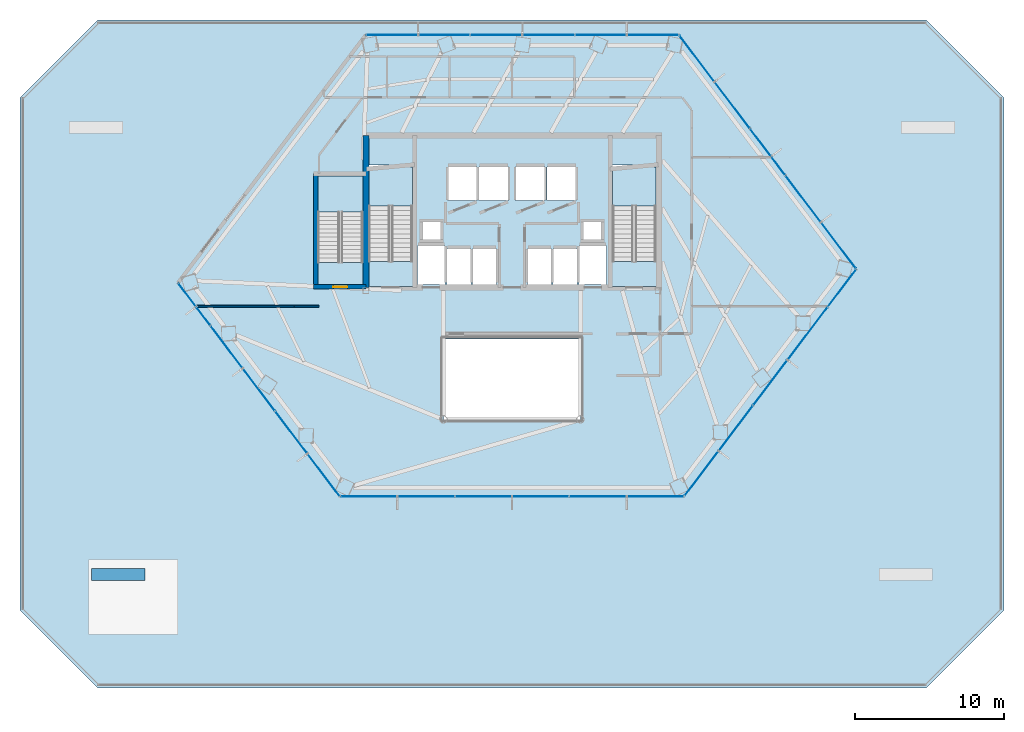
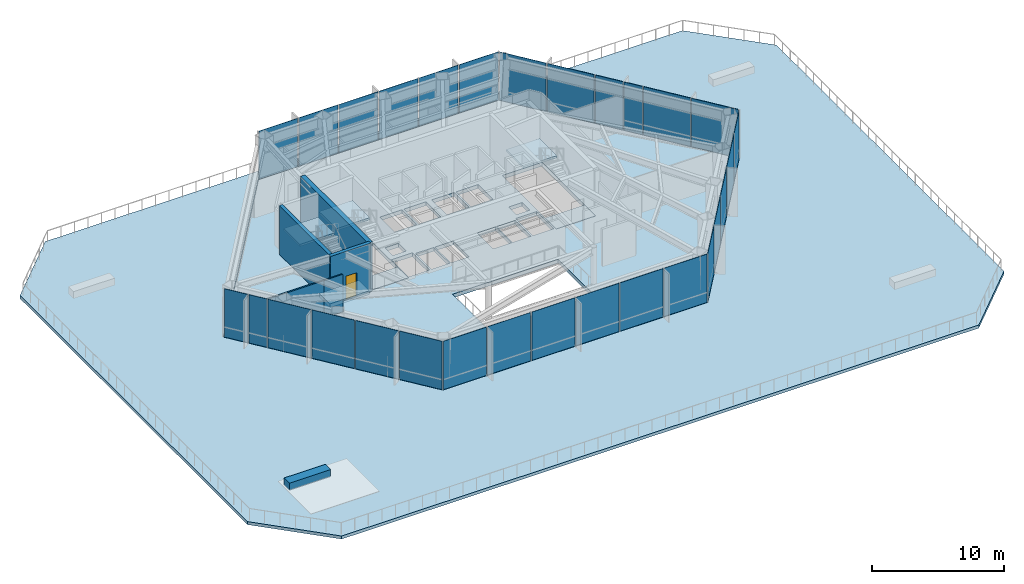
# One storey, part 20 of 30: 29 plates, 8 slabs, 6 walls, 1 door, 1 opening, 8 elements without a shape of their own.
"""IFC4 building model written with IfcOpenShell, lengths in metres."""

import ifcopenshell
import ifcopenshell.guid

model = None  # the IFC model being written
_history = None  # IfcOwnerHistory: only IFC2X3 demands one
_inside = {}  # id of a spatial element -> (the spatial element, [elements in it])
_under = {}  # id of a project, library or spatial element -> (it, [spatial elements below it])
_declared = {}  # id of a project -> (the project, [libraries it declares])
_typed = {}  # id of a type object -> (the type object, [elements of that type])
_made_of = {}  # id of a material, layer set ... -> (it, [elements and type objects made of it])


def new_model(schema):
    """Start an empty IFC model of exactly this schema.

    Asked for "IFC4X3", IfcOpenShell would pick the latest addendum, in which some entities
    have other attributes; the version numbers below select the first issue.
    IFC2X3 requires an IfcOwnerHistory on every rooted entity: one is made here for all.
    """
    global model, _history
    if schema == "IFC4X3":
        model = ifcopenshell.file(schema_version=(4, 3, 0, 0))
    else:
        model = ifcopenshell.file(schema=schema)
    _inside.clear()
    _under.clear()
    _declared.clear()
    _typed.clear()
    _made_of.clear()
    _history = None
    if model.schema == "IFC2X3":
        org = make("IfcOrganization", Name="unknown")
        user = make(
            "IfcPersonAndOrganization",
            ThePerson=make("IfcPerson", FamilyName="unknown"),
            TheOrganization=org,
        )
        app = make(
            "IfcApplication",
            ApplicationDeveloper=org,
            Version="unknown",
            ApplicationFullName="unknown",
            ApplicationIdentifier="unknown",
        )
        _history = make(
            "IfcOwnerHistory",
            OwningUser=user,
            OwningApplication=app,
            ChangeAction="ADDED",
            CreationDate=0,
        )
    return model


def make(cls, **values):
    """One entity of the class cls with the attributes given. An attribute that is None is left unset."""
    return model.create_entity(
        cls, **{name: value for name, value in values.items() if value is not None}
    )


def rooted(cls, **values):
    """An entity with a GlobalId (a new one), such as an element, a storey or a relation."""
    return make(cls, GlobalId=ifcopenshell.guid.new(), OwnerHistory=_history, **values)


def si_unit(unit_type, name, prefix=None):
    """IfcSIUnit, for example si_unit("LENGTHUNIT", "METRE", prefix="MILLI")."""
    return make("IfcSIUnit", UnitType=unit_type, Prefix=prefix, Name=name)


def assignment(units):
    """IfcUnitAssignment: the units of a project."""
    return None if units is None else make("IfcUnitAssignment", Units=units)


def point(xyz):
    """IfcCartesianPoint."""
    return None if xyz is None else make("IfcCartesianPoint", Coordinates=xyz)


def direction(xyz):
    """IfcDirection."""
    return None if xyz is None else make("IfcDirection", DirectionRatios=xyz)


def frame(location, z_axis=None, x_axis=None):
    """IfcAxis2Placement3D, a coordinate frame: its origin and axes. An axis left out is left unset."""
    return make(
        "IfcAxis2Placement3D",
        Location=point(location),
        Axis=direction(z_axis),
        RefDirection=direction(x_axis),
    )


def frame_2d(location, x_axis=None):
    """IfcAxis2Placement2D, a coordinate frame in the plane: its origin and x axis."""
    return make(
        "IfcAxis2Placement2D", Location=point(location), RefDirection=direction(x_axis)
    )


def origin():
    """The frame at (0, 0, 0) with its axes left unset."""
    return frame((0.0, 0.0, 0.0))


def origin_2d():
    """The frame at (0, 0) in the plane with its x axis left unset."""
    return frame_2d((0.0, 0.0))


def place(relative_to, where):
    """IfcLocalPlacement: puts the frame where relative to a parent placement (None: the world)."""
    return make(
        "IfcLocalPlacement", PlacementRelTo=relative_to, RelativePlacement=where
    )


def context(
    kind, dimensions, precision=None, world=None, true_north=None, identifier=None
):
    """IfcGeometricRepresentationContext, for example the 3D "Model" context."""
    return make(
        "IfcGeometricRepresentationContext",
        ContextIdentifier=identifier,
        ContextType=kind,
        CoordinateSpaceDimension=dimensions,
        Precision=precision,
        WorldCoordinateSystem=world,
        TrueNorth=true_north,
    )


def subcontext(parent, identifier, kind, view, scale=None):
    """IfcGeometricRepresentationSubContext, for example "Body" below "Model"."""
    return make(
        "IfcGeometricRepresentationSubContext",
        ContextIdentifier=identifier,
        ContextType=kind,
        ParentContext=parent,
        TargetScale=scale,
        TargetView=view,
    )


def project(units=None, contexts=None):
    """IfcProject with its units and contexts."""
    return rooted(
        "IfcProject",
        Name="project",
        RepresentationContexts=contexts,
        UnitsInContext=assignment(units),
    )


def spatial(cls, under=None, at=None, **own):
    """A site, building, storey or space (cls), placed at a placement, below another one or the project."""
    s = rooted(cls, ObjectPlacement=at, **own)
    if under is not None:
        _under.setdefault(under.id(), (under, []))[1].append(s)
    return s


def polyline(points):
    """IfcPolyline through the points."""
    return make("IfcPolyline", Points=[point(p) for p in points])


def profile(cls, at=None, kind="AREA", **sizes):
    """A parametric profile (cls). Its sizes go by their IFC names, for example OverallWidth=200.0."""
    return make(cls, ProfileType=kind, Position=at, **sizes)


def rectangle(**sizes):
    """IfcRectangleProfileDef."""
    return profile("IfcRectangleProfileDef", **sizes)


def outline(outer, holes=None, kind="AREA"):
    """IfcArbitraryClosedProfileDef: a profile drawn as a closed curve; with holes, ...WithVoids."""
    if holes is None:
        return make("IfcArbitraryClosedProfileDef", ProfileType=kind, OuterCurve=outer)
    return make(
        "IfcArbitraryProfileDefWithVoids",
        ProfileType=kind,
        OuterCurve=outer,
        InnerCurves=holes,
    )


def extrude(swept, where, along, depth):
    """IfcExtrudedAreaSolid: the profile swept, set in the frame where, extruded along a direction by depth."""
    return make(
        "IfcExtrudedAreaSolid",
        SweptArea=swept,
        Position=where,
        ExtrudedDirection=direction(along),
        Depth=depth,
    )


def shape(context_of_items, identifier, shape_type, items):
    """IfcShapeRepresentation: the items that make up one representation, for example the "Body"."""
    return make(
        "IfcShapeRepresentation",
        ContextOfItems=context_of_items,
        RepresentationIdentifier=identifier,
        RepresentationType=shape_type,
        Items=items,
    )


def material(Name=None, Category=None):
    """IfcMaterial."""
    return make("IfcMaterial", Name=Name, Category=Category)


def layer(
    of_material, thickness, ventilated=None, Name=None, Category=None, Priority=None
):
    """IfcMaterialLayer: one layer of a wall or slab, of a material (None: an air gap)."""
    return make(
        "IfcMaterialLayer",
        Material=of_material,
        LayerThickness=thickness,
        IsVentilated=ventilated,
        Name=Name,
        Category=Category,
        Priority=Priority,
    )


def layer_set(layers, Name=None):
    """IfcMaterialLayerSet."""
    return make("IfcMaterialLayerSet", MaterialLayers=layers, LayerSetName=Name)


def made_of(thing, what):
    """Note that an element or type object is made of a material, layer set ...; save() writes the relation."""
    if what is not None:
        _made_of.setdefault(what.id(), (what, []))[1].append(thing)
    return thing


def type_object(cls, material=None, **own):
    """A type object (cls), such as IfcWallType, which elements share."""
    return made_of(rooted(cls, **own), material)


def element(
    cls,
    number,
    at=None,
    inside=None,
    cuts=None,
    type_object=None,
    material=None,
    context=None,
    identifier="Body",
    shape_type=None,
    held_by="IfcProductDefinitionShape",
    body=None,
    shapes=None,
    **own,
):
    """One element of the class cls, such as IfcWall. Its Tag is "e" and its number.

    at: its placement. inside: the storey or other place that contains it. cuts: it is an
    opening in that element (IfcRelVoidsElement). A single representation is given by context,
    identifier, shape_type and body (its items); several are given by shapes. held_by: the class
    of the entity that holds the representations. save() writes the other relations.
    """
    e = rooted(cls, Tag="e%d" % number, ObjectPlacement=at, **own)
    if body is not None:
        shapes = [shape(context, identifier, shape_type, body)]
    if shapes is not None:
        e.Representation = make(held_by, Representations=shapes)
    if inside is not None:
        _inside.setdefault(inside.id(), (inside, []))[1].append(e)
    if cuts is not None:
        rooted(
            "IfcRelVoidsElement", RelatingBuildingElement=cuts, RelatedOpeningElement=e
        )
    if type_object is not None:
        _typed.setdefault(type_object.id(), (type_object, []))[1].append(e)
    return made_of(e, material)


def fill(opening, filler):
    """IfcRelFillsElement: the door or window that sits in an opening."""
    return rooted(
        "IfcRelFillsElement",
        RelatingOpeningElement=opening,
        RelatedBuildingElement=filler,
    )


def aggregate(whole, parts):
    """IfcRelAggregates: a whole, such as a stair, and the parts it consists of."""
    return rooted("IfcRelAggregates", RelatingObject=whole, RelatedObjects=parts)


def save(model, path):
    """Write the relations noted so far, then the file.

    IfcRelAggregates (storeys below a building ...), IfcRelContainedInSpatialStructure (elements
    in a storey), IfcRelDefinesByType, IfcRelAssociatesMaterial and IfcRelDeclares: one each for
    every whole, place, type object, material and project.
    """
    for whole, parts in _under.values():
        aggregate(whole, parts)
    for where, things in _inside.values():
        rooted(
            "IfcRelContainedInSpatialStructure",
            RelatedElements=things,
            RelatingStructure=where,
        )
    for kind, things in _typed.values():
        rooted("IfcRelDefinesByType", RelatedObjects=things, RelatingType=kind)
    for what, things in _made_of.values():
        rooted("IfcRelAssociatesMaterial", RelatedObjects=things, RelatingMaterial=what)
    for by, libraries in _declared.values():
        rooted("IfcRelDeclares", RelatingContext=by, RelatedDefinitions=libraries)
    model.write(path)


model = new_model("IFC4")

# Units and contexts
model_context = context("Model", 3, precision=1e-05, world=origin(), true_north=direction((0.0, 1.0)))
body_context = subcontext(model_context, "Body", "Model", "MODEL_VIEW")
ifc_project = project(units=[si_unit("LENGTHUNIT", "METRE"), si_unit("AREAUNIT", "SQUARE_METRE"), si_unit("VOLUMEUNIT", "CUBIC_METRE"), si_unit("PLANEANGLEUNIT", "RADIAN"), si_unit("MASSUNIT", "GRAM", prefix="KILO")], contexts=[model_context])

# Site, building, storey
site_placement = place(None, origin())
site = spatial("IfcSite", under=ifc_project, at=site_placement, CompositionType="ELEMENT")
building_placement = place(site_placement, origin())
building = spatial("IfcBuilding", under=site, at=building_placement, Name="Zarrinselat Tower", CompositionType="ELEMENT")
storey_placement = place(building_placement, frame((0.0, 0.0, 22.780029296875)))
storey = spatial("IfcBuildingStorey", under=building, at=storey_placement, Name="L05", CompositionType="ELEMENT", Elevation=22.780029296875)

# Curtain wall, plates
ifc_material_1 = material(Name="Extruded Aluminium Alloy EN AW-6063 T6", Category="aluminium")
ifc_layer_1 = layer(ifc_material_1, 0.195068359375)
ifc_layer_set_1 = layer_set([ifc_layer_1], Name="Extruded Aluminium Alloy EN AW-6063 T6")
curtain_wall_type = type_object("IfcCurtainWallType", Name="CWS-GDN", PredefinedType="NOTDEFINED", material=ifc_layer_set_1)
curtain_wall_1_placement = place(storey_placement, origin())
curtain_wall_1 = element("IfcCurtainWall", 1, at=curtain_wall_1_placement, inside=storey, type_object=curtain_wall_type, Name="L05 Unitised Curtain Wall CW-L05-E01", PredefinedType="NOTDEFINED")
ifc_material_2 = material(Name="Double Low-E Laminated Solar Glass", Category="glass")
ifc_layer_2 = layer(ifc_material_2, 0.031982421875)
ifc_layer_set_2 = layer_set([ifc_layer_2], Name="Double Low-E Laminated Solar Glass")
plate_type = type_object("IfcPlateType", Name="PLT-CW-GL32", PredefinedType="CURTAIN_PANEL", material=ifc_layer_set_2)
plate_1_placement = place(storey_placement, frame((47.85009765625, 50.199951171875, 0.02001953125), z_axis=(0.0, 0.0, 1.0), x_axis=(-1.0, 0.0, 0.0)))
plate_1 = element("IfcPlate", 2, at=plate_1_placement, type_object=plate_type, Name="CW-L05-E01 Vision Glass Panel 1", PredefinedType="CURTAIN_PANEL", context=body_context, shape_type="SweptSolid", body=[
    extrude(rectangle(XDim=3.39990234375, YDim=0.031982421875, at=origin_2d()), origin(), (0.0, 0.0, 1.0), 4.4599609375),
])
plate_2_placement = place(storey_placement, frame((44.35009765625, 50.199951171875, 0.02001953125), z_axis=(0.0, 0.0, 1.0), x_axis=(-1.0, 0.0, 0.0)))
plate_2 = element("IfcPlate", 3, at=plate_2_placement, type_object=plate_type, Name="CW-L05-E01 Vision Glass Panel 2", PredefinedType="CURTAIN_PANEL", context=body_context, shape_type="SweptSolid", body=[
    extrude(rectangle(XDim=3.39990234375, YDim=0.031982421875, at=origin_2d()), origin(), (0.0, 0.0, 1.0), 4.4599609375),
])
plate_3_placement = place(storey_placement, frame((40.85009765625, 50.199951171875, 0.02001953125), z_axis=(0.0, 0.0, 1.0), x_axis=(-1.0, 0.0, 0.0)))
plate_3 = element("IfcPlate", 4, at=plate_3_placement, type_object=plate_type, Name="CW-L05-E01 Vision Glass Panel 3", PredefinedType="CURTAIN_PANEL", context=body_context, shape_type="SweptSolid", body=[
    extrude(rectangle(XDim=3.39990234375, YDim=0.031982421875, at=origin_2d()), origin(), (0.0, 0.0, 1.0), 4.4599609375),
])
plate_4_placement = place(storey_placement, frame((37.35009765625, 50.199951171875, 0.02001953125), z_axis=(0.0, 0.0, 1.0), x_axis=(-1.0, 0.0, 0.0)))
plate_4 = element("IfcPlate", 5, at=plate_4_placement, type_object=plate_type, Name="CW-L05-E01 Vision Glass Panel 4", PredefinedType="CURTAIN_PANEL", context=body_context, shape_type="SweptSolid", body=[
    extrude(rectangle(XDim=3.39990234375, YDim=0.031982421875, at=origin_2d()), origin(), (0.0, 0.0, 1.0), 4.4599609375),
])
plate_5_placement = place(storey_placement, frame((33.85009765625, 50.199951171875, 0.02001953125), z_axis=(0.0, 0.0, 1.0), x_axis=(-1.0, 0.0, 0.0)))
plate_5 = element("IfcPlate", 6, at=plate_5_placement, type_object=plate_type, Name="CW-L05-E01 Vision Glass Panel 5", PredefinedType="CURTAIN_PANEL", context=body_context, shape_type="SweptSolid", body=[
    extrude(rectangle(XDim=3.39990234375, YDim=0.031982421875, at=origin_2d()), origin(), (0.0, 0.0, 1.0), 4.4599609375),
])
plate_6_placement = place(storey_placement, frame((30.35009765625, 50.199951171875, 0.02001953125), z_axis=(0.0, 0.0, 1.0), x_axis=(-1.0, 0.0, 0.0)))
plate_6 = element("IfcPlate", 7, at=plate_6_placement, type_object=plate_type, Name="CW-L05-E01 Vision Glass Panel 6", PredefinedType="CURTAIN_PANEL", context=body_context, shape_type="SweptSolid", body=[
    extrude(rectangle(XDim=3.39990234375, YDim=0.031982421875, at=origin_2d()), origin(), (0.0, 0.0, 1.0), 4.4599609375),
])
aggregate(curtain_wall_1, [plate_1, plate_2, plate_3, plate_4, plate_5, plate_6])

curtain_wall_2_placement = place(storey_placement, origin())
curtain_wall_2 = element("IfcCurtainWall", 8, at=curtain_wall_2_placement, inside=storey, type_object=curtain_wall_type, Name="L05 Unitised Curtain Wall CW-L05-E03", PredefinedType="NOTDEFINED")
plate_7_placement = place(storey_placement, frame((16.607666015625, 32.765869140625, 0.02001953125), z_axis=(0.0, 0.0, 1.0), x_axis=(0.603857687995, -0.797092148154, 0.0)))
plate_7 = element("IfcPlate", 9, at=plate_7_placement, type_object=plate_type, Name="CW-L05-E03 Vision Glass Panel 1", PredefinedType="CURTAIN_PANEL", context=body_context, shape_type="SweptSolid", body=[
    extrude(rectangle(XDim=1.91259765625, YDim=0.031982421875, at=origin_2d()), origin(), (0.0, 0.0, 1.0), 4.4599609375),
])
plate_8_placement = place(storey_placement, frame((17.692626953125, 31.333740234375, 0.02001953125), z_axis=(0.0, 0.0, 1.0), x_axis=(0.603857687995, -0.797092148154, 0.0)))
plate_8 = element("IfcPlate", 10, at=plate_8_placement, type_object=plate_type, Name="CW-L05-E03 Vision Glass Panel 2", PredefinedType="CURTAIN_PANEL", context=body_context, shape_type="SweptSolid", body=[
    extrude(rectangle(XDim=1.48095703125, YDim=0.031982421875, at=origin_2d()), origin(), (0.0, 0.0, 1.0), 4.4599609375),
])
plate_9_placement = place(storey_placement, frame((19.2548828125, 29.271484375, 0.02001953125), z_axis=(0.0, 0.0, 1.0), x_axis=(0.603857687995, -0.797092148154, 0.0)))
plate_9 = element("IfcPlate", 11, at=plate_9_placement, type_object=plate_type, Name="CW-L05-E03 Vision Glass Panel 3", PredefinedType="CURTAIN_PANEL", context=body_context, shape_type="SweptSolid", body=[
    extrude(rectangle(XDim=3.49365234375, YDim=0.031982421875, at=origin_2d()), origin(), (0.0, 0.0, 1.0), 4.4599609375),
])
plate_10_placement = place(storey_placement, frame((21.425048828125, 26.406982421875, 0.02001953125), z_axis=(0.0, 0.0, 1.0), x_axis=(0.603857687995, -0.797092148154, 0.0)))
plate_10 = element("IfcPlate", 12, at=plate_10_placement, type_object=plate_type, Name="CW-L05-E03 Vision Glass Panel 4", PredefinedType="CURTAIN_PANEL", context=body_context, shape_type="SweptSolid", body=[
    extrude(rectangle(XDim=3.49365234375, YDim=0.031982421875, at=origin_2d()), origin(), (0.0, 0.0, 1.0), 4.4599609375),
])
plate_11_placement = place(storey_placement, frame((23.594970703125, 23.54248046875, 0.02001953125), z_axis=(0.0, 0.0, 1.0), x_axis=(0.603857687995, -0.797092148154, 0.0)))
plate_11 = element("IfcPlate", 13, at=plate_11_placement, type_object=plate_type, Name="CW-L05-E03 Vision Glass Panel 5", PredefinedType="CURTAIN_PANEL", context=body_context, shape_type="SweptSolid", body=[
    extrude(rectangle(XDim=3.49365234375, YDim=0.031982421875, at=origin_2d()), origin(), (0.0, 0.0, 1.0), 4.4599609375),
])
plate_12_placement = place(storey_placement, frame((25.764892578125, 20.67822265625, 0.02001953125), z_axis=(0.0, 0.0, 1.0), x_axis=(0.603857687995, -0.797092148154, 0.0)))
plate_12 = element("IfcPlate", 14, at=plate_12_placement, type_object=plate_type, Name="CW-L05-E03 Vision Glass Panel 6", PredefinedType="CURTAIN_PANEL", context=body_context, shape_type="SweptSolid", body=[
    extrude(rectangle(XDim=3.49365234375, YDim=0.031982421875, at=origin_2d()), origin(), (0.0, 0.0, 1.0), 4.4599609375),
])
aggregate(curtain_wall_2, [plate_7, plate_8, plate_9, plate_10, plate_11, plate_12])

curtain_wall_3_placement = place(storey_placement, origin())
curtain_wall_3 = element("IfcCurtainWall", 15, at=curtain_wall_3_placement, inside=storey, type_object=curtain_wall_type, Name="L05 Unitised Curtain Wall CW-L05-E04", PredefinedType="NOTDEFINED")
plate_13_placement = place(storey_placement, frame((28.77490234375, 19.24609375, 0.02001953125), z_axis=(0.0, 0.0, 1.0), x_axis=(1.0, 0.0, 0.0)))
plate_13 = element("IfcPlate", 16, at=plate_13_placement, type_object=plate_type, Name="CW-L05-E04 Vision Glass Panel 1", PredefinedType="CURTAIN_PANEL", context=body_context, shape_type="SweptSolid", body=[
    extrude(rectangle(XDim=3.75, YDim=0.031982421875, at=origin_2d()), origin(), (0.0, 0.0, 1.0), 4.4599609375),
])
plate_14_placement = place(storey_placement, frame((32.625, 19.24609375, 0.02001953125), z_axis=(0.0, 0.0, 1.0), x_axis=(1.0, 0.0, 0.0)))
plate_14 = element("IfcPlate", 17, at=plate_14_placement, type_object=plate_type, Name="CW-L05-E04 Vision Glass Panel 2", PredefinedType="CURTAIN_PANEL", context=body_context, shape_type="SweptSolid", body=[
    extrude(rectangle(XDim=3.75, YDim=0.031982421875, at=origin_2d()), origin(), (0.0, 0.0, 1.0), 4.4599609375),
])
plate_15_placement = place(storey_placement, frame((36.47509765625, 19.24609375, 0.02001953125), z_axis=(0.0, 0.0, 1.0), x_axis=(1.0, 0.0, 0.0)))
plate_15 = element("IfcPlate", 18, at=plate_15_placement, type_object=plate_type, Name="CW-L05-E04 Vision Glass Panel 3", PredefinedType="CURTAIN_PANEL", context=body_context, shape_type="SweptSolid", body=[
    extrude(rectangle(XDim=3.75, YDim=0.031982421875, at=origin_2d()), origin(), (0.0, 0.0, 1.0), 4.4599609375),
])
plate_16_placement = place(storey_placement, frame((40.324951171875, 19.24609375, 0.02001953125), z_axis=(0.0, 0.0, 1.0), x_axis=(1.0, 0.0, 0.0)))
plate_16 = element("IfcPlate", 19, at=plate_16_placement, type_object=plate_type, Name="CW-L05-E04 Vision Glass Panel 4", PredefinedType="CURTAIN_PANEL", context=body_context, shape_type="SweptSolid", body=[
    extrude(rectangle(XDim=3.75, YDim=0.031982421875, at=origin_2d()), origin(), (0.0, 0.0, 1.0), 4.4599609375),
])
plate_17_placement = place(storey_placement, frame((44.175048828125, 19.24609375, 0.02001953125), z_axis=(0.0, 0.0, 1.0), x_axis=(1.0, 0.0, 0.0)))
plate_17 = element("IfcPlate", 20, at=plate_17_placement, type_object=plate_type, Name="CW-L05-E04 Vision Glass Panel 5", PredefinedType="CURTAIN_PANEL", context=body_context, shape_type="SweptSolid", body=[
    extrude(rectangle(XDim=3.75, YDim=0.031982421875, at=origin_2d()), origin(), (0.0, 0.0, 1.0), 4.4599609375),
])
plate_18_placement = place(storey_placement, frame((48.02490234375, 19.24609375, 0.02001953125), z_axis=(0.0, 0.0, 1.0), x_axis=(1.0, 0.0, 0.0)))
plate_18 = element("IfcPlate", 21, at=plate_18_placement, type_object=plate_type, Name="CW-L05-E04 Vision Glass Panel 6", PredefinedType="CURTAIN_PANEL", context=body_context, shape_type="SweptSolid", body=[
    extrude(rectangle(XDim=3.75, YDim=0.031982421875, at=origin_2d()), origin(), (0.0, 0.0, 1.0), 4.4599609375),
])
aggregate(curtain_wall_3, [plate_13, plate_14, plate_15, plate_16, plate_17, plate_18])

curtain_wall_4_placement = place(storey_placement, origin())
curtain_wall_4 = element("IfcCurtainWall", 22, at=curtain_wall_4_placement, inside=storey, type_object=curtain_wall_type, Name="L05 Unitised Curtain Wall CW-L05-E05", PredefinedType="NOTDEFINED")
plate_19_placement = place(storey_placement, frame((51.10498046875, 20.7705078125, 0.02001953125), z_axis=(0.0, 0.0, 1.0), x_axis=(0.603857687995, 0.797092148154, 0.0)))
plate_19 = element("IfcPlate", 23, at=plate_19_placement, type_object=plate_type, Name="CW-L05-E05 Vision Glass Panel 1", PredefinedType="CURTAIN_PANEL", context=body_context, shape_type="SweptSolid", body=[
    extrude(rectangle(XDim=3.725341796875, YDim=0.031982421875, at=origin_2d()), origin(), (0.0, 0.0, 1.0), 4.4599609375),
])
plate_20_placement = place(storey_placement, frame((53.4150390625, 23.81982421875, 0.02001953125), z_axis=(0.0, 0.0, 1.0), x_axis=(0.603857687995, 0.797092148154, 0.0)))
plate_20 = element("IfcPlate", 24, at=plate_20_placement, type_object=plate_type, Name="CW-L05-E05 Vision Glass Panel 2", PredefinedType="CURTAIN_PANEL", context=body_context, shape_type="SweptSolid", body=[
    extrude(rectangle(XDim=3.725341796875, YDim=0.031982421875, at=origin_2d()), origin(), (0.0, 0.0, 1.0), 4.4599609375),
])
plate_21_placement = place(storey_placement, frame((55.72509765625, 26.868896484375, 0.02001953125), z_axis=(0.0, 0.0, 1.0), x_axis=(0.603857687995, 0.797092148154, 0.0)))
plate_21 = element("IfcPlate", 25, at=plate_21_placement, type_object=plate_type, Name="CW-L05-E05 Vision Glass Panel 3", PredefinedType="CURTAIN_PANEL", context=body_context, shape_type="SweptSolid", body=[
    extrude(rectangle(XDim=3.725341796875, YDim=0.031982421875, at=origin_2d()), origin(), (0.0, 0.0, 1.0), 4.4599609375),
])
plate_22_placement = place(storey_placement, frame((58.232421875, 30.1787109375, 0.02001953125), z_axis=(0.0, 0.0, 1.0), x_axis=(0.603857687995, 0.797092148154, 0.0)))
plate_22 = element("IfcPlate", 26, at=plate_22_placement, type_object=plate_type, Name="CW-L05-E05 Vision Glass Panel 4", PredefinedType="CURTAIN_PANEL", context=body_context, shape_type="SweptSolid", body=[
    extrude(rectangle(XDim=4.37890625, YDim=0.031982421875, at=origin_2d()), origin(), (0.0, 0.0, 1.0), 4.4599609375),
])
plate_23_placement = place(storey_placement, frame((60.542236328125, 33.227783203125, 0.02001953125), z_axis=(0.0, 0.0, 1.0), x_axis=(0.603857687995, 0.797092148154, 0.0)))
plate_23 = element("IfcPlate", 27, at=plate_23_placement, type_object=plate_type, Name="CW-L05-E05 Vision Glass Panel 5", PredefinedType="CURTAIN_PANEL", context=body_context, shape_type="SweptSolid", body=[
    extrude(rectangle(XDim=3.07177734375, YDim=0.031982421875, at=origin_2d()), origin(), (0.0, 0.0, 1.0), 4.4599609375),
])
aggregate(curtain_wall_4, [plate_19, plate_20, plate_21, plate_22, plate_23])

curtain_wall_5_placement = place(storey_placement, origin())
curtain_wall_5 = element("IfcCurtainWall", 28, at=curtain_wall_5_placement, inside=storey, type_object=curtain_wall_type, Name="L05 Unitised Curtain Wall CW-L05-E06", PredefinedType="NOTDEFINED")
plate_24_placement = place(storey_placement, frame((60.31005859375, 36.062744140625, 0.02001953125), z_axis=(0.0, 0.0, 1.0), x_axis=(-0.603857687995, 0.797092148154, 0.0)))
plate_24 = element("IfcPlate", 29, at=plate_24_placement, type_object=plate_type, Name="CW-L05-E06 Vision Glass Panel 1", PredefinedType="CURTAIN_PANEL", context=body_context, shape_type="SweptSolid", body=[
    extrude(rectangle(XDim=3.84130859375, YDim=0.031982421875, at=origin_2d()), origin(), (0.0, 0.0, 1.0), 4.4599609375),
])
plate_25_placement = place(storey_placement, frame((57.929931640625, 39.204345703125, 0.02001953125), z_axis=(0.0, 0.0, 1.0), x_axis=(-0.603857687995, 0.797092148154, 0.0)))
plate_25 = element("IfcPlate", 30, at=plate_25_placement, type_object=plate_type, Name="CW-L05-E06 Vision Glass Panel 2", PredefinedType="CURTAIN_PANEL", context=body_context, shape_type="SweptSolid", body=[
    extrude(rectangle(XDim=3.84130859375, YDim=0.031982421875, at=origin_2d()), origin(), (0.0, 0.0, 1.0), 4.4599609375),
])
plate_26_placement = place(storey_placement, frame((56.26220703125, 41.40576171875, 0.02001953125), z_axis=(0.0, 0.0, 1.0), x_axis=(-0.603857687995, 0.797092148154, 0.0)))
plate_26 = element("IfcPlate", 31, at=plate_26_placement, type_object=plate_type, Name="CW-L05-E06 Vision Glass Panel 3", PredefinedType="CURTAIN_PANEL", context=body_context, shape_type="SweptSolid", body=[
    extrude(rectangle(XDim=1.482177734375, YDim=0.031982421875, at=origin_2d()), origin(), (0.0, 0.0, 1.0), 4.4599609375),
])
plate_27_placement = place(storey_placement, frame((55.072265625, 42.9765625, 0.02001953125), z_axis=(0.0, 0.0, 1.0), x_axis=(-0.603857687995, 0.797092148154, 0.0)))
plate_27 = element("IfcPlate", 32, at=plate_27_placement, type_object=plate_type, Name="CW-L05-E06 Vision Glass Panel 4", PredefinedType="CURTAIN_PANEL", context=body_context, shape_type="SweptSolid", body=[
    extrude(rectangle(XDim=2.25927734375, YDim=0.031982421875, at=origin_2d()), origin(), (0.0, 0.0, 1.0), 4.4599609375),
])
plate_28_placement = place(storey_placement, frame((53.169921875, 45.487548828125, 0.02001953125), z_axis=(0.0, 0.0, 1.0), x_axis=(-0.603857687995, 0.797092148154, 0.0)))
plate_28 = element("IfcPlate", 33, at=plate_28_placement, type_object=plate_type, Name="CW-L05-E06 Vision Glass Panel 5", PredefinedType="CURTAIN_PANEL", context=body_context, shape_type="SweptSolid", body=[
    extrude(rectangle(XDim=3.84130859375, YDim=0.031982421875, at=origin_2d()), origin(), (0.0, 0.0, 1.0), 4.4599609375),
])
plate_29_placement = place(storey_placement, frame((50.7900390625, 48.629150390625, 0.02001953125), z_axis=(0.0, 0.0, 1.0), x_axis=(-0.603857687995, 0.797092148154, 0.0)))
plate_29 = element("IfcPlate", 34, at=plate_29_placement, type_object=plate_type, Name="CW-L05-E06 Vision Glass Panel 6", PredefinedType="CURTAIN_PANEL", context=body_context, shape_type="SweptSolid", body=[
    extrude(rectangle(XDim=3.84130859375, YDim=0.031982421875, at=origin_2d()), origin(), (0.0, 0.0, 1.0), 4.4599609375),
])
aggregate(curtain_wall_5, [plate_24, plate_25, plate_26, plate_27, plate_28, plate_29])

# Slabs
ifc_material_3 = material(Name="Concrete C50/60", Category="concrete")
ifc_layer_3 = layer(ifc_material_3, 0.35009765625)
ifc_layer_set_3 = layer_set([ifc_layer_3], Name="Concrete C50/60")
slab_type_1 = type_object("IfcSlabType", Name="SLB-FLOOR-350-SL-TR350", PredefinedType="FLOOR", material=ifc_layer_set_3)
slab_1_placement = place(storey_placement, frame((0.0, 0.0, -0.35009765625)))
element("IfcSlab", 35, at=slab_1_placement, inside=storey, type_object=slab_type_1, Name="L05 Primary Structural Slab", PredefinedType="FLOOR", context=body_context, shape_type="SweptSolid", body=[
    extrude(outline(polyline([(49.60009765625, 50.199951171875), (28.60009765625, 50.199951171875), (16.0, 33.568115234375), (26.85009765625, 19.24609375), (49.949951171875, 19.24609375), (61.5, 34.491943359375), (49.60009765625, 50.199951171875)]), holes=[polyline([(34.050048828125, 33.449951171875), (34.050048828125, 35.85009765625), (35.64990234375, 35.85009765625), (35.64990234375, 33.449951171875), (34.050048828125, 33.449951171875)]), polyline([(35.75, 33.449951171875), (35.75, 35.85009765625), (37.35009765625, 35.85009765625), (37.35009765625, 33.449951171875), (35.75, 33.449951171875)]), polyline([(32.06005859375, 33.449951171875), (32.06005859375, 36.050048828125), (33.89990234375, 36.050048828125), (33.89990234375, 33.449951171875), (32.06005859375, 33.449951171875)]), polyline([(32.419921875, 36.47998046875), (32.419921875, 37.639892578125), (33.60009765625, 37.639892578125), (33.60009765625, 36.47998046875), (32.419921875, 36.47998046875)]), polyline([(28.594970703125, 33.324951171875), (25.114990234375, 33.324951171875), (25.114990234375, 40.875), (28.594970703125, 40.875), (28.594970703125, 33.324951171875)]), polyline([(31.985107421875, 33.324951171875), (28.60498046875, 33.324951171875), (28.60498046875, 41.47509765625), (31.985107421875, 41.47509765625), (31.985107421875, 33.324951171875)]), polyline([(34.10009765625, 39.10009765625), (34.10009765625, 41.35009765625), (36.050048828125, 41.35009765625), (36.050048828125, 39.10009765625), (34.10009765625, 39.10009765625)]), polyline([(36.199951171875, 39.10009765625), (36.199951171875, 41.35009765625), (38.14990234375, 41.35009765625), (38.14990234375, 39.10009765625), (36.199951171875, 39.10009765625)]), polyline([(33.800048828125, 24.39990234375), (33.800048828125, 29.800048828125), (43.0, 29.800048828125), (43.0, 24.39990234375), (33.800048828125, 24.39990234375)]), polyline([(39.449951171875, 33.449951171875), (39.449951171875, 35.85009765625), (41.050048828125, 35.85009765625), (41.050048828125, 33.449951171875), (39.449951171875, 33.449951171875)]), polyline([(41.14990234375, 33.449951171875), (41.14990234375, 35.85009765625), (42.75, 35.85009765625), (42.75, 33.449951171875), (41.14990234375, 33.449951171875)]), polyline([(42.89990234375, 33.449951171875), (42.89990234375, 36.050048828125), (44.739990234375, 36.050048828125), (44.739990234375, 33.449951171875), (42.89990234375, 33.449951171875)]), polyline([(43.199951171875, 36.47998046875), (43.199951171875, 37.639892578125), (44.3798828125, 37.639892578125), (44.3798828125, 36.47998046875), (43.199951171875, 36.47998046875)]), polyline([(48.324951171875, 33.324951171875), (44.875, 33.324951171875), (44.875, 41.47509765625), (48.324951171875, 41.47509765625), (48.324951171875, 33.324951171875)]), polyline([(38.64990234375, 39.10009765625), (38.64990234375, 41.35009765625), (40.60009765625, 41.35009765625), (40.60009765625, 39.10009765625), (38.64990234375, 39.10009765625)]), polyline([(40.75, 39.10009765625), (40.75, 41.35009765625), (42.699951171875, 41.35009765625), (42.699951171875, 39.10009765625), (40.75, 39.10009765625)])]), origin(), (0.0, 0.0, 1.0), 0.35009765625),
])
slab_2_placement = place(storey_placement, frame((0.0, 0.0, -0.35009765625)))
element("IfcSlab", 36, at=slab_2_placement, inside=storey, type_object=slab_type_1, Name="L05 Stair ST-1-FL1 Structural Floor Landing", PredefinedType="FLOOR", context=body_context, shape_type="SweptSolid", body=[
    extrude(outline(polyline([(31.97998046875, 33.330078125), (31.97998046875, 35.0), (28.610107421875, 35.0), (28.610107421875, 33.330078125), (31.97998046875, 33.330078125)])), origin(), (0.0, 0.0, 1.0), 0.35009765625),
])
slab_3_placement = place(storey_placement, frame((0.0, 0.0, -0.35009765625)))
element("IfcSlab", 37, at=slab_3_placement, inside=storey, type_object=slab_type_1, Name="L05 Stair ST-2-FL1 Structural Floor Landing", PredefinedType="FLOOR", context=body_context, shape_type="SweptSolid", body=[
    extrude(outline(polyline([(48.320068359375, 33.330078125), (48.320068359375, 35.0), (44.8798828125, 35.0), (44.8798828125, 33.330078125), (48.320068359375, 33.330078125)])), origin(), (0.0, 0.0, 1.0), 0.35009765625),
])
slab_4_placement = place(storey_placement, frame((0.0, 0.0, -0.35009765625)))
element("IfcSlab", 38, at=slab_4_placement, inside=storey, type_object=slab_type_1, Name="L05 Stair ST-3-FL1 Structural Floor Landing", PredefinedType="FLOOR", context=body_context, shape_type="SweptSolid", body=[
    extrude(outline(polyline([(28.590087890625, 33.330078125), (28.590087890625, 34.949951171875), (25.1201171875, 34.949951171875), (25.1201171875, 33.330078125), (28.590087890625, 33.330078125)])), origin(), (0.0, 0.0, 1.0), 0.35009765625),
])

# Stair, slab
ifc_material_4 = material(Name="Concrete C40/50", Category="concrete")
stair_type_1 = type_object("IfcStairType", Name="STR-CORE-145", PredefinedType="HALF_TURN_STAIR", material=ifc_material_4)
stair_1_placement = place(storey_placement, origin())
stair_1 = element("IfcStair", 39, at=stair_1_placement, inside=storey, type_object=stair_type_1, Name="L05 Podium & Mid-Tower Exit Stair 3", PredefinedType="HALF_TURN_STAIR")
ifc_material_5 = material(Name="Concrete C40/50", Category="concrete")
ifc_layer_4 = layer(ifc_material_5, 0.1650390625)
ifc_layer_set_4 = layer_set([ifc_layer_4], Name="Concrete C40/50")
slab_type_2 = type_object("IfcSlabType", Name="SLB-LND-165", PredefinedType="LANDING", material=ifc_layer_set_4)
slab_5_placement = place(storey_placement, frame((0.0, 0.0, 2.179931640625)))
slab_5 = element("IfcSlab", 40, at=slab_5_placement, type_object=slab_type_2, Name="ST-3 landing 1", PredefinedType="LANDING", context=body_context, shape_type="SweptSolid", body=[
    extrude(outline(polyline([(28.39990234375, 38.31005859375), (28.39990234375, 40.75), (25.3798828125, 40.75), (25.3798828125, 38.31005859375), (28.39990234375, 38.31005859375)])), origin(), (0.0, 0.0, 1.0), 0.199951171875),
])
aggregate(stair_1, [slab_5])

ifc_material_6 = material(Name="Concrete C40/50", Category="concrete")
stair_type_2 = type_object("IfcStairType", Name="STR-CORE-155", PredefinedType="HALF_TURN_STAIR", material=ifc_material_6)
stair_2_placement = place(storey_placement, origin())
stair_2 = element("IfcStair", 41, at=stair_2_placement, inside=storey, type_object=stair_type_2, Name="L05 Core Exit Stair 1", PredefinedType="HALF_TURN_STAIR")
ifc_material_7 = material(Name="Concrete C40/50", Category="concrete")
ifc_layer_5 = layer(ifc_material_7, 0.18994140625)
ifc_layer_set_5 = layer_set([ifc_layer_5], Name="Concrete C40/50")
slab_type_3 = type_object("IfcSlabType", Name="SLB-LND-190", PredefinedType="LANDING", material=ifc_layer_set_5)
slab_6_placement = place(storey_placement, frame((0.0, 0.0, 2.179931640625)))
slab_6 = element("IfcSlab", 42, at=slab_6_placement, type_object=slab_type_3, Name="ST-1 landing 1", PredefinedType="LANDING", context=body_context, shape_type="SweptSolid", body=[
    extrude(outline(polyline([(31.719970703125, 38.719970703125), (31.719970703125, 41.35009765625), (28.800048828125, 41.35009765625), (28.800048828125, 38.719970703125), (31.719970703125, 38.719970703125)])), origin(), (0.0, 0.0, 1.0), 0.199951171875),
])
aggregate(stair_2, [slab_6])

stair_3_placement = place(storey_placement, origin())
stair_3 = element("IfcStair", 43, at=stair_3_placement, inside=storey, type_object=stair_type_2, Name="L05 Core Exit Stair 2", PredefinedType="HALF_TURN_STAIR")
slab_7_placement = place(storey_placement, frame((0.0, 0.0, 2.179931640625)))
slab_7 = element("IfcSlab", 44, at=slab_7_placement, type_object=slab_type_3, Name="ST-2 landing 1", PredefinedType="LANDING", context=body_context, shape_type="SweptSolid", body=[
    extrude(outline(polyline([(48.06005859375, 38.719970703125), (48.06005859375, 41.35009765625), (45.139892578125, 41.35009765625), (45.139892578125, 38.719970703125), (48.06005859375, 38.719970703125)])), origin(), (0.0, 0.0, 1.0), 0.199951171875),
])
aggregate(stair_3, [slab_7])

# Slab
ifc_material_8 = material(Name="Concrete C40/50", Category="concrete")
ifc_layer_6 = layer(ifc_material_8, 0.280029296875)
ifc_layer_set_6 = layer_set([ifc_layer_6], Name="Concrete C40/50")
slab_type_4 = type_object("IfcSlabType", Name="SLB-ROOF-280-SL-GD280", PredefinedType="ROOF", material=ifc_layer_set_6)
slab_8_placement = place(storey_placement, frame((0.0, 0.0, -0.280029296875)))
element("IfcSlab", 45, at=slab_8_placement, inside=storey, type_object=slab_type_4, Name="L05 Chahar-Bagh Raised Garden Deck 1", PredefinedType="ROOF", context=body_context, shape_type="SweptSolid", body=[
    extrude(outline(polyline([(5.39990234375, 11.60009765625), (5.39990234375, 46.0), (10.60009765625, 51.199951171875), (66.199951171875, 51.199951171875), (71.39990234375, 46.0), (71.39990234375, 11.60009765625), (66.199951171875, 6.39990234375), (10.60009765625, 6.39990234375), (5.39990234375, 11.60009765625)]), holes=[polyline([(49.614501953125, 50.213623046875), (49.613037109375, 50.215087890625), (49.611572265625, 50.21630859375), (49.60986328125, 50.21728515625), (49.60791015625, 50.21826171875), (49.606201171875, 50.218994140625), (49.60400390625, 50.219482421875), (49.60205078125, 50.219970703125), (49.60009765625, 50.219970703125), (28.60009765625, 50.219970703125), (28.597900390625, 50.219970703125), (28.595947265625, 50.219482421875), (28.593994140625, 50.218994140625), (28.592041015625, 50.21826171875), (28.590087890625, 50.21728515625), (28.58837890625, 50.21630859375), (28.5869140625, 50.215087890625), (28.58544921875, 50.213623046875), (28.583984375, 50.212158203125), (15.984130859375, 33.580078125), (15.98291015625, 33.578369140625), (15.98193359375, 33.57666015625), (15.981201171875, 33.57470703125), (15.980712890625, 33.572998046875), (15.980224609375, 33.571044921875), (15.97998046875, 33.569091796875), (15.97998046875, 33.56689453125), (15.980224609375, 33.56494140625), (15.980712890625, 33.56298828125), (15.981201171875, 33.561279296875), (15.98193359375, 33.559326171875), (15.98291015625, 33.5576171875), (15.984130859375, 33.555908203125), (26.833984375, 19.23388671875), (26.83544921875, 19.232421875), (26.8369140625, 19.23095703125), (26.83837890625, 19.229736328125), (26.840087890625, 19.228515625), (26.842041015625, 19.227783203125), (26.843994140625, 19.226806640625), (26.845947265625, 19.226318359375), (26.847900390625, 19.22607421875), (26.85009765625, 19.22607421875), (49.949951171875, 19.22607421875), (49.951904296875, 19.22607421875), (49.9541015625, 19.226318359375), (49.9560546875, 19.226806640625), (49.9580078125, 19.227783203125), (49.959716796875, 19.228515625), (49.96142578125, 19.229736328125), (49.963134765625, 19.23095703125), (49.964599609375, 19.232421875), (49.9658203125, 19.23388671875), (61.515869140625, 34.47998046875), (61.51708984375, 34.481689453125), (61.51806640625, 34.4833984375), (61.518798828125, 34.485107421875), (61.519287109375, 34.487060546875), (61.519775390625, 34.489013671875), (61.52001953125, 34.490966796875), (61.52001953125, 34.492919921875), (61.519775390625, 34.4951171875), (61.519287109375, 34.496826171875), (61.518798828125, 34.498779296875), (61.51806640625, 34.500732421875), (61.51708984375, 34.50244140625), (61.515869140625, 34.504150390625), (49.615966796875, 50.212158203125), (49.614501953125, 50.213623046875)])]), origin(), (0.0, 0.0, 1.0), 0.280029296875),
])

# Walls
ifc_material_9 = material(Name="Fire-Rated Gypsum Board Partition", Category="gypsum")
ifc_layer_7 = layer(ifc_material_9, 0.1201171875)
ifc_layer_set_7 = layer_set([ifc_layer_7], Name="Fire-Rated Gypsum Board Partition")
wall_type_1 = type_object("IfcWallType", Name="WAL-PART-STD", PredefinedType="PARTITIONING", material=ifc_layer_set_7)
wall_1_placement = place(storey_placement, frame((17.202880859375, 32.0, 0.0), z_axis=(0.0, 0.0, 1.0), x_axis=(1.0, 0.0, 0.0)))
element("IfcWall", 46, at=wall_1_placement, inside=storey, type_object=wall_type_1, Name="L05 Partition Wall 38", PredefinedType="PARTITIONING", context=body_context, shape_type="SweptSolid", body=[
    extrude(rectangle(XDim=6.59716796875, YDim=0.1201171875, at=frame_2d((3.298583984375, 0.0))), origin(), (0.0, 0.0, 1.0), 3.45703125),
])
wall_2_placement = place(storey_placement, frame((23.800048828125, 32.0, 0.0), z_axis=(0.0, 0.0, 1.0), x_axis=(1.0, 0.0, 0.0)))
element("IfcWall", 47, at=wall_2_placement, inside=storey, type_object=wall_type_1, Name="L05 Partition Wall 39", PredefinedType="PARTITIONING", context=body_context, shape_type="SweptSolid", body=[
    extrude(rectangle(XDim=1.64990234375, YDim=0.1201171875, at=frame_2d((0.824951171875, 0.0))), origin(), (0.0, 0.0, 1.0), 3.45703125),
])
ifc_material_10 = material(Name="Honed Cream Travertine Stone", Category="masonry")
ifc_layer_8 = layer(ifc_material_10, 0.199951171875)
ifc_layer_set_8 = layer_set([ifc_layer_8], Name="Honed Cream Travertine Stone")
wall_type_2 = type_object("IfcWallType", Name="WAL-PLANTER-200", PredefinedType="PARAPET", material=ifc_layer_set_8)
wall_3_placement = place(storey_placement, frame((10.199951171875, 14.0, 0.0), z_axis=(0.0, 0.0, 1.0), x_axis=(1.0, 0.0, 0.0)))
element("IfcWall", 48, at=wall_3_placement, inside=storey, type_object=wall_type_2, Name="L05 Chahar-Bagh Raised Stone PLANTER Bed 1", PredefinedType="PARAPET", context=body_context, shape_type="SweptSolid", body=[
    extrude(rectangle(XDim=3.60009765625, YDim=0.800048828125, at=frame_2d((1.800048828125, 0.0))), origin(), (0.0, 0.0, 1.0), 0.64990234375),
])

# Wall, opening, door
ifc_material_11 = material(Name="Concrete C40/50", Category="concrete")
ifc_layer_9 = layer(ifc_material_11, 0.300048828125)
ifc_layer_set_9 = layer_set([ifc_layer_9], Name="Concrete C40/50")
wall_type_3 = type_object("IfcWallType", Name="WAL-SHEAR-300", PredefinedType="SHEAR", material=ifc_layer_set_9)
wall_4_placement = place(storey_placement, frame((25.080078125, 33.300048828125, 0.0), z_axis=(0.0, 0.0, 1.0), x_axis=(1.0, 0.0, 0.0)))
wall_4 = element("IfcWall", 49, at=wall_4_placement, inside=storey, type_object=wall_type_3, Name="L05 Stair 3 South Shear Wall", PredefinedType="SHEAR", context=body_context, shape_type="SweptSolid", body=[
    extrude(rectangle(XDim=3.52001953125, YDim=0.300048828125, at=frame_2d((1.760009765625, 0.0))), origin(), (0.0, 0.0, 1.0), 4.5),
])
opening_placement = place(wall_4_placement, frame((1.3349609375, 0.0, 0.0)))
opening = element("IfcOpeningElement", 50, at=opening_placement, cuts=wall_4, Name="Opening SD-02", PredefinedType="OPENING", context=body_context, shape_type="SweptSolid", body=[
    extrude(rectangle(XDim=0.949951171875, YDim=2.199951171875, at=frame_2d((0.47509765625, 1.10009765625))), frame((0.0, 0.159912109375, 0.0), z_axis=(0.0, -1.0, 0.0), x_axis=(1.0, 0.0, 0.0)), (0.0, 0.0, 1.0), 0.320068359375),
])
ifc_material_12 = material(Name="Steel S355J2", Category="steel")
door_type = type_object("IfcDoorType", Name="DR-STAIR-1050", OperationType="NOTDEFINED", PredefinedType="DOOR", material=ifc_material_12)
door_placement = place(opening_placement, origin())
door = element("IfcDoor", 51, at=door_placement, inside=storey, type_object=door_type, Name="L05 Exit Stair 3 Fire Door", OperationType="SINGLE_SWING_LEFT", OverallHeight=2.199951171875, OverallWidth=0.949951171875, PredefinedType="DOOR", context=body_context, shape_type="SweptSolid", body=[
    extrude(rectangle(XDim=0.949951171875, YDim=2.199951171875, at=frame_2d((0.47509765625, 1.10009765625))), frame((0.0, 0.02490234375, 0.0), z_axis=(0.0, -1.0, 0.0), x_axis=(1.0, 0.0, 0.0)), (0.0, 0.0, 1.0), 0.050048828125),
])
fill(opening, door)

# Walls
wall_5_placement = place(storey_placement, frame((25.22998046875, 33.300048828125, 0.0), z_axis=(0.0, 0.0, 1.0), x_axis=(0.0, 1.0, 0.0)))
element("IfcWall", 52, at=wall_5_placement, inside=storey, type_object=wall_type_3, Name="L05 Stair 3 West Shear Wall", PredefinedType="SHEAR", context=body_context, shape_type="SweptSolid", body=[
    extrude(rectangle(XDim=7.599853515625, YDim=0.300048828125, at=frame_2d((3.7998046875, 0.0))), origin(), (0.0, 0.0, 1.0), 4.5),
])
ifc_material_13 = material(Name="Concrete C60/75", Category="concrete")
ifc_layer_10 = layer(ifc_material_13, 0.39990234375)
ifc_layer_set_10 = layer_set([ifc_layer_10], Name="Concrete C60/75")
wall_type_4 = type_object("IfcWallType", Name="WAL-SHEAR-400", PredefinedType="SHEAR", material=ifc_layer_set_10)
wall_6_placement = place(storey_placement, frame((28.60009765625, 33.25, 0.0), z_axis=(0.0, 0.0, 1.0), x_axis=(0.0, 1.0, 0.0)))
element("IfcWall", 53, at=wall_6_placement, inside=storey, type_object=wall_type_4, Name="L05 Core Shear Wall W", PredefinedType="SHEAR", context=body_context, shape_type="SweptSolid", body=[
    extrude(rectangle(XDim=10.199951171875, YDim=0.39990234375, at=frame_2d((5.10009765625, 0.0))), origin(), (0.0, 0.0, 1.0), 4.5),
])

save(model, "model.ifc")
